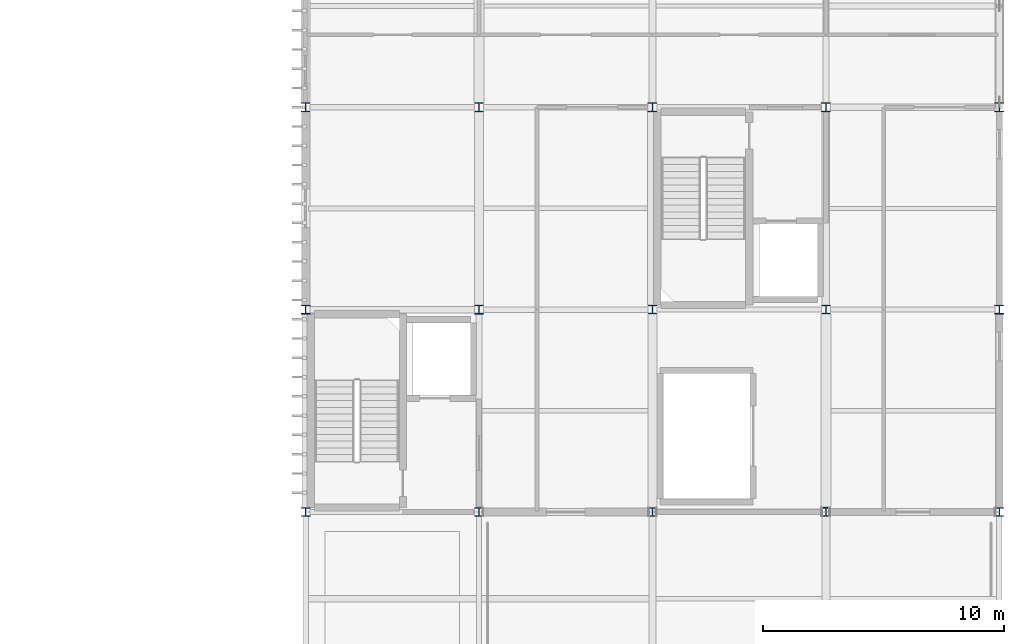
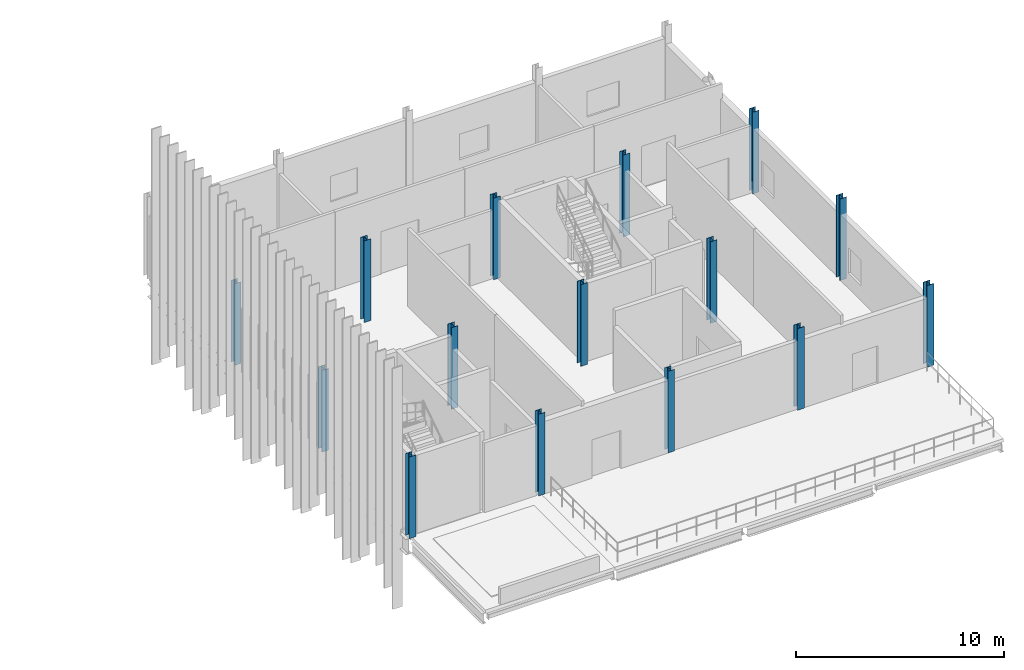
# One storey, part 5 of 45: 15 columns.
"""IFC4 building model written with IfcOpenShell, lengths in metres."""

from ifc_helpers import new_model, si_unit, direction, frame, origin, origin_2d, place, context, subcontext, project, spatial, i_section, extrude, material, material_profile, profile_set, type_object, element, save


model = new_model("IFC4")

# Units and contexts
model_context = context("Model", 3, precision=1e-05, world=origin(), true_north=direction((0.0, 1.0)))
body_context = subcontext(model_context, "Body", "Model", "MODEL_VIEW")
ifc_project = project(units=[si_unit("LENGTHUNIT", "METRE"), si_unit("AREAUNIT", "SQUARE_METRE"), si_unit("VOLUMEUNIT", "CUBIC_METRE"), si_unit("PLANEANGLEUNIT", "RADIAN"), si_unit("MASSUNIT", "GRAM", prefix="KILO")], contexts=[model_context])

# Site, building, storey
site_placement = place(None, origin())
site = spatial("IfcSite", under=ifc_project, at=site_placement, CompositionType="ELEMENT")
building_placement = place(site_placement, origin())
building = spatial("IfcBuilding", under=site, at=building_placement, Name="Calvrana Isthmian Art Gallery", CompositionType="ELEMENT")
storey_placement = place(building_placement, frame((0.0, 0.0, 19.800048828125)))
storey = spatial("IfcBuildingStorey", under=building, at=storey_placement, Name="L04", CompositionType="ELEMENT", Elevation=19.800048828125)

# Columns
ifc_material = material(Name="Steel ASTM A992 Gr 50", Category="steel")
ifc_material_profile_1 = material_profile(ifc_material, i_section(OverallWidth=0.37109375, OverallDepth=0.363037109375, WebThickness=0.01318359375, FlangeThickness=0.021728515625, FilletRadius=0.02490234375, at=origin_2d()), Name="W14X109")
ifc_profile_set_1 = profile_set([ifc_material_profile_1], Name="Steel ASTM A992 Gr 50")
column_type_1 = type_object("IfcColumnType", Name="COL-STL-W14X109", PredefinedType="COLUMN", material=ifc_profile_set_1)
for number, where, z_axis, x_axis, name in (
    (1, (120.0, 21.60009765625, 0.0), (0.0, 0.0, 1.0), (1.0, 0.0, 0.0), "Column 16/D L04"),
    (2, (127.199951171875, 30.0, 0.0), (0.0, 0.0, 1.0), (1.0, 0.0, 0.0), "Column 17/E L04"),
    (3, (134.39990234375, 38.39990234375, 0.0), (0.0, 0.0, 1.0), (1.0, 0.0, 0.0), "Column 18/F L04"),
):
    element("IfcColumn", number, at=place(storey_placement, frame(where, z_axis=z_axis, x_axis=x_axis)), inside=storey, type_object=column_type_1, Name=name, PredefinedType="COLUMN", context=body_context, shape_type="SweptSolid", body=[
        extrude(i_section(OverallWidth=0.37109375, OverallDepth=0.363037109375, WebThickness=0.01318359375, FlangeThickness=0.021728515625, FilletRadius=0.02490234375, at=origin_2d()), origin(), (0.0, 0.0, 1.0), 4.800048828125),
    ])
ifc_material_profile_2 = material_profile(ifc_material, i_section(OverallWidth=0.373046875, OverallDepth=0.367919921875, WebThickness=0.014892578125, FlangeThickness=0.02392578125, FilletRadius=0.02490234375, at=origin_2d()), Name="W14X120")
ifc_profile_set_2 = profile_set([ifc_material_profile_2], Name="Steel ASTM A992 Gr 50")
column_type_2 = type_object("IfcColumnType", Name="COL-STL-W14X120", PredefinedType="COLUMN", material=ifc_profile_set_2)
for number, where, z_axis, x_axis, name in (
    (4, (112.800048828125, 21.60009765625, 0.0), (0.0, 0.0, 1.0), (1.0, 0.0, 0.0), "Column 15/D L04"),
    (5, (120.0, 30.0, 0.0), (0.0, 0.0, 1.0), (1.0, 0.0, 0.0), "Column 16/E L04"),
    (6, (127.199951171875, 38.39990234375, 0.0), (0.0, 0.0, 1.0), (1.0, 0.0, 0.0), "Column 17/F L04"),
    (7, (141.60009765625, 21.60009765625, 0.0), (0.0, 0.0, 1.0), (1.0, 0.0, 0.0), "Column 19/D L04"),
):
    element("IfcColumn", number, at=place(storey_placement, frame(where, z_axis=z_axis, x_axis=x_axis)), inside=storey, type_object=column_type_2, Name=name, PredefinedType="COLUMN", context=body_context, shape_type="SweptSolid", body=[
        extrude(i_section(OverallWidth=0.373046875, OverallDepth=0.367919921875, WebThickness=0.014892578125, FlangeThickness=0.02392578125, FilletRadius=0.02490234375, at=origin_2d()), origin(), (0.0, 0.0, 1.0), 4.800048828125),
    ])
ifc_material_profile_3 = material_profile(ifc_material, i_section(OverallWidth=0.373046875, OverallDepth=0.373046875, WebThickness=0.016357421875, FlangeThickness=0.026123046875, FilletRadius=0.02490234375, at=origin_2d()), Name="W14X132")
ifc_profile_set_3 = profile_set([ifc_material_profile_3], Name="Steel ASTM A992 Gr 50")
column_type_3 = type_object("IfcColumnType", Name="COL-STL-W14X132", PredefinedType="COLUMN", material=ifc_profile_set_3)
for number, where, z_axis, x_axis, name in (
    (8, (112.800048828125, 30.0, 0.0), (0.0, 0.0, 1.0), (1.0, 0.0, 0.0), "Column 15/E L04"),
    (9, (120.0, 38.39990234375, 0.0), (0.0, 0.0, 1.0), (1.0, 0.0, 0.0), "Column 16/F L04"),
    (10, (134.39990234375, 21.60009765625, 0.0), (0.0, 0.0, 1.0), (1.0, 0.0, 0.0), "Column 18/D L04"),
    (11, (141.60009765625, 30.0, 0.0), (0.0, 0.0, 1.0), (1.0, 0.0, 0.0), "Column 19/E L04"),
):
    element("IfcColumn", number, at=place(storey_placement, frame(where, z_axis=z_axis, x_axis=x_axis)), inside=storey, type_object=column_type_3, Name=name, PredefinedType="COLUMN", context=body_context, shape_type="SweptSolid", body=[
        extrude(i_section(OverallWidth=0.373046875, OverallDepth=0.373046875, WebThickness=0.016357421875, FlangeThickness=0.026123046875, FilletRadius=0.02490234375, at=origin_2d()), origin(), (0.0, 0.0, 1.0), 4.800048828125),
    ])
ifc_material_profile_4 = material_profile(ifc_material, i_section(OverallWidth=0.367919921875, OverallDepth=0.35595703125, WebThickness=0.01123046875, FlangeThickness=0.01806640625, FilletRadius=0.02490234375, at=origin_2d()), Name="W14X90")
ifc_profile_set_4 = profile_set([ifc_material_profile_4], Name="Steel ASTM A992 Gr 50")
column_type_4 = type_object("IfcColumnType", Name="COL-STL-W14X90", PredefinedType="COLUMN", material=ifc_profile_set_4)
for number, where, z_axis, x_axis, name in (
    (12, (112.800048828125, 38.39990234375, 0.0), (0.0, 0.0, 1.0), (1.0, 0.0, 0.0), "Column 15/F L04"),
    (13, (127.199951171875, 21.60009765625, 0.0), (0.0, 0.0, 1.0), (1.0, 0.0, 0.0), "Column 17/D L04"),
    (14, (134.39990234375, 30.0, 0.0), (0.0, 0.0, 1.0), (1.0, 0.0, 0.0), "Column 18/E L04"),
    (15, (141.60009765625, 38.39990234375, 0.0), (0.0, 0.0, 1.0), (1.0, 0.0, 0.0), "Column 19/F L04"),
):
    element("IfcColumn", number, at=place(storey_placement, frame(where, z_axis=z_axis, x_axis=x_axis)), inside=storey, type_object=column_type_4, Name=name, PredefinedType="COLUMN", context=body_context, shape_type="SweptSolid", body=[
        extrude(i_section(OverallWidth=0.367919921875, OverallDepth=0.35595703125, WebThickness=0.01123046875, FlangeThickness=0.01806640625, FilletRadius=0.02490234375, at=origin_2d()), origin(), (0.0, 0.0, 1.0), 4.800048828125),
    ])

save(model, "model.ifc")
